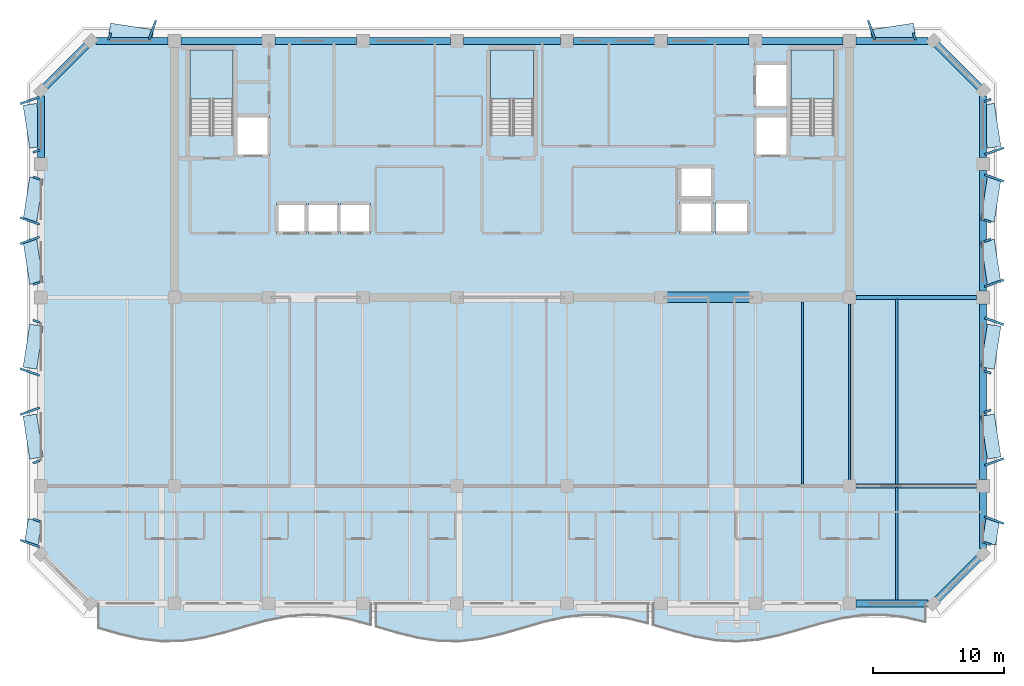
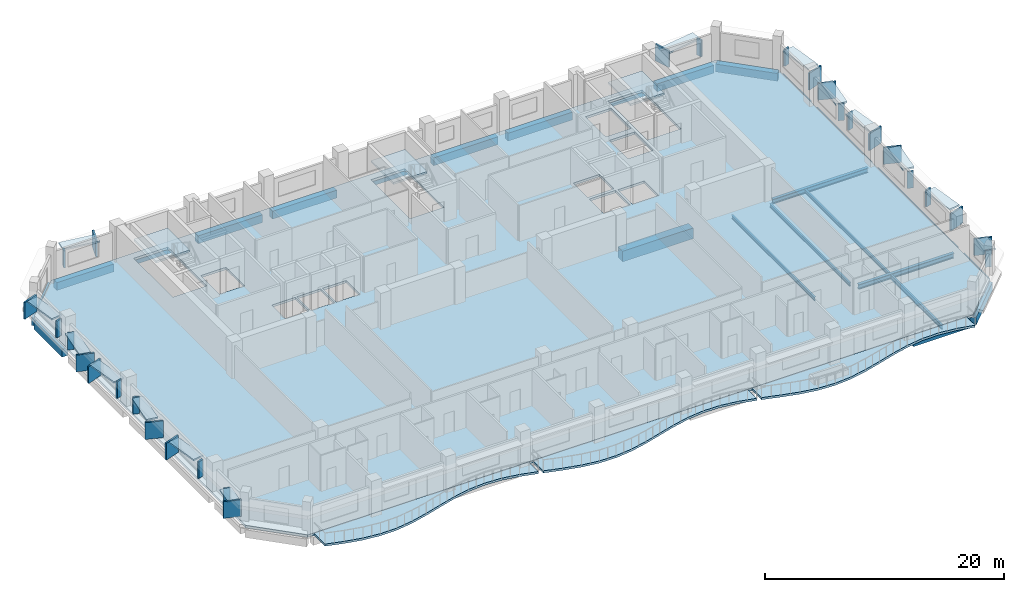
# One storey, part 2 of 11: 42 plates, 25 beams, 7 slabs, 3 elements without a shape of their own.
"""IFC4 building model written with IfcOpenShell, lengths in metres."""

import ifcopenshell
import ifcopenshell.guid

model = None  # the IFC model being written
_history = None  # IfcOwnerHistory: only IFC2X3 demands one
_inside = {}  # id of a spatial element -> (the spatial element, [elements in it])
_under = {}  # id of a project, library or spatial element -> (it, [spatial elements below it])
_declared = {}  # id of a project -> (the project, [libraries it declares])
_typed = {}  # id of a type object -> (the type object, [elements of that type])
_made_of = {}  # id of a material, layer set ... -> (it, [elements and type objects made of it])


def new_model(schema):
    """Start an empty IFC model of exactly this schema.

    Asked for "IFC4X3", IfcOpenShell would pick the latest addendum, in which some entities
    have other attributes; the version numbers below select the first issue.
    IFC2X3 requires an IfcOwnerHistory on every rooted entity: one is made here for all.
    """
    global model, _history
    if schema == "IFC4X3":
        model = ifcopenshell.file(schema_version=(4, 3, 0, 0))
    else:
        model = ifcopenshell.file(schema=schema)
    _inside.clear()
    _under.clear()
    _declared.clear()
    _typed.clear()
    _made_of.clear()
    _history = None
    if model.schema == "IFC2X3":
        org = make("IfcOrganization", Name="unknown")
        user = make(
            "IfcPersonAndOrganization",
            ThePerson=make("IfcPerson", FamilyName="unknown"),
            TheOrganization=org,
        )
        app = make(
            "IfcApplication",
            ApplicationDeveloper=org,
            Version="unknown",
            ApplicationFullName="unknown",
            ApplicationIdentifier="unknown",
        )
        _history = make(
            "IfcOwnerHistory",
            OwningUser=user,
            OwningApplication=app,
            ChangeAction="ADDED",
            CreationDate=0,
        )
    return model


def make(cls, **values):
    """One entity of the class cls with the attributes given. An attribute that is None is left unset."""
    return model.create_entity(
        cls, **{name: value for name, value in values.items() if value is not None}
    )


def rooted(cls, **values):
    """An entity with a GlobalId (a new one), such as an element, a storey or a relation."""
    return make(cls, GlobalId=ifcopenshell.guid.new(), OwnerHistory=_history, **values)


def si_unit(unit_type, name, prefix=None):
    """IfcSIUnit, for example si_unit("LENGTHUNIT", "METRE", prefix="MILLI")."""
    return make("IfcSIUnit", UnitType=unit_type, Prefix=prefix, Name=name)


def assignment(units):
    """IfcUnitAssignment: the units of a project."""
    return None if units is None else make("IfcUnitAssignment", Units=units)


def point(xyz):
    """IfcCartesianPoint."""
    return None if xyz is None else make("IfcCartesianPoint", Coordinates=xyz)


def direction(xyz):
    """IfcDirection."""
    return None if xyz is None else make("IfcDirection", DirectionRatios=xyz)


def frame(location, z_axis=None, x_axis=None):
    """IfcAxis2Placement3D, a coordinate frame: its origin and axes. An axis left out is left unset."""
    return make(
        "IfcAxis2Placement3D",
        Location=point(location),
        Axis=direction(z_axis),
        RefDirection=direction(x_axis),
    )


def frame_2d(location, x_axis=None):
    """IfcAxis2Placement2D, a coordinate frame in the plane: its origin and x axis."""
    return make(
        "IfcAxis2Placement2D", Location=point(location), RefDirection=direction(x_axis)
    )


def origin():
    """The frame at (0, 0, 0) with its axes left unset."""
    return frame((0.0, 0.0, 0.0))


def origin_2d():
    """The frame at (0, 0) in the plane with its x axis left unset."""
    return frame_2d((0.0, 0.0))


def place(relative_to, where):
    """IfcLocalPlacement: puts the frame where relative to a parent placement (None: the world)."""
    return make(
        "IfcLocalPlacement", PlacementRelTo=relative_to, RelativePlacement=where
    )


def context(
    kind, dimensions, precision=None, world=None, true_north=None, identifier=None
):
    """IfcGeometricRepresentationContext, for example the 3D "Model" context."""
    return make(
        "IfcGeometricRepresentationContext",
        ContextIdentifier=identifier,
        ContextType=kind,
        CoordinateSpaceDimension=dimensions,
        Precision=precision,
        WorldCoordinateSystem=world,
        TrueNorth=true_north,
    )


def subcontext(parent, identifier, kind, view, scale=None):
    """IfcGeometricRepresentationSubContext, for example "Body" below "Model"."""
    return make(
        "IfcGeometricRepresentationSubContext",
        ContextIdentifier=identifier,
        ContextType=kind,
        ParentContext=parent,
        TargetScale=scale,
        TargetView=view,
    )


def project(units=None, contexts=None):
    """IfcProject with its units and contexts."""
    return rooted(
        "IfcProject",
        Name="project",
        RepresentationContexts=contexts,
        UnitsInContext=assignment(units),
    )


def spatial(cls, under=None, at=None, **own):
    """A site, building, storey or space (cls), placed at a placement, below another one or the project."""
    s = rooted(cls, ObjectPlacement=at, **own)
    if under is not None:
        _under.setdefault(under.id(), (under, []))[1].append(s)
    return s


def polyline(points):
    """IfcPolyline through the points."""
    return make("IfcPolyline", Points=[point(p) for p in points])


def profile(cls, at=None, kind="AREA", **sizes):
    """A parametric profile (cls). Its sizes go by their IFC names, for example OverallWidth=200.0."""
    return make(cls, ProfileType=kind, Position=at, **sizes)


def rectangle(**sizes):
    """IfcRectangleProfileDef."""
    return profile("IfcRectangleProfileDef", **sizes)


def i_section(**sizes):
    """IfcIShapeProfileDef."""
    return profile("IfcIShapeProfileDef", **sizes)


def outline(outer, holes=None, kind="AREA"):
    """IfcArbitraryClosedProfileDef: a profile drawn as a closed curve; with holes, ...WithVoids."""
    if holes is None:
        return make("IfcArbitraryClosedProfileDef", ProfileType=kind, OuterCurve=outer)
    return make(
        "IfcArbitraryProfileDefWithVoids",
        ProfileType=kind,
        OuterCurve=outer,
        InnerCurves=holes,
    )


def extrude(swept, where, along, depth):
    """IfcExtrudedAreaSolid: the profile swept, set in the frame where, extruded along a direction by depth."""
    return make(
        "IfcExtrudedAreaSolid",
        SweptArea=swept,
        Position=where,
        ExtrudedDirection=direction(along),
        Depth=depth,
    )


def shape(context_of_items, identifier, shape_type, items):
    """IfcShapeRepresentation: the items that make up one representation, for example the "Body"."""
    return make(
        "IfcShapeRepresentation",
        ContextOfItems=context_of_items,
        RepresentationIdentifier=identifier,
        RepresentationType=shape_type,
        Items=items,
    )


def material(Name=None, Category=None):
    """IfcMaterial."""
    return make("IfcMaterial", Name=Name, Category=Category)


def layer(
    of_material, thickness, ventilated=None, Name=None, Category=None, Priority=None
):
    """IfcMaterialLayer: one layer of a wall or slab, of a material (None: an air gap)."""
    return make(
        "IfcMaterialLayer",
        Material=of_material,
        LayerThickness=thickness,
        IsVentilated=ventilated,
        Name=Name,
        Category=Category,
        Priority=Priority,
    )


def layer_set(layers, Name=None):
    """IfcMaterialLayerSet."""
    return make("IfcMaterialLayerSet", MaterialLayers=layers, LayerSetName=Name)


def material_profile(
    of_material, cross_section, Name=None, Category=None, Priority=None
):
    """IfcMaterialProfile: a cross section and its material."""
    return make(
        "IfcMaterialProfile",
        Name=Name,
        Material=of_material,
        Profile=cross_section,
        Priority=Priority,
        Category=Category,
    )


def profile_set(profiles, Name=None, composite=None):
    """IfcMaterialProfileSet."""
    return make(
        "IfcMaterialProfileSet",
        Name=Name,
        MaterialProfiles=profiles,
        CompositeProfile=composite,
    )


def made_of(thing, what):
    """Note that an element or type object is made of a material, layer set ...; save() writes the relation."""
    if what is not None:
        _made_of.setdefault(what.id(), (what, []))[1].append(thing)
    return thing


def type_object(cls, material=None, **own):
    """A type object (cls), such as IfcWallType, which elements share."""
    return made_of(rooted(cls, **own), material)


def element(
    cls,
    number,
    at=None,
    inside=None,
    cuts=None,
    type_object=None,
    material=None,
    context=None,
    identifier="Body",
    shape_type=None,
    held_by="IfcProductDefinitionShape",
    body=None,
    shapes=None,
    **own,
):
    """One element of the class cls, such as IfcWall. Its Tag is "e" and its number.

    at: its placement. inside: the storey or other place that contains it. cuts: it is an
    opening in that element (IfcRelVoidsElement). A single representation is given by context,
    identifier, shape_type and body (its items); several are given by shapes. held_by: the class
    of the entity that holds the representations. save() writes the other relations.
    """
    e = rooted(cls, Tag="e%d" % number, ObjectPlacement=at, **own)
    if body is not None:
        shapes = [shape(context, identifier, shape_type, body)]
    if shapes is not None:
        e.Representation = make(held_by, Representations=shapes)
    if inside is not None:
        _inside.setdefault(inside.id(), (inside, []))[1].append(e)
    if cuts is not None:
        rooted(
            "IfcRelVoidsElement", RelatingBuildingElement=cuts, RelatedOpeningElement=e
        )
    if type_object is not None:
        _typed.setdefault(type_object.id(), (type_object, []))[1].append(e)
    return made_of(e, material)


def aggregate(whole, parts):
    """IfcRelAggregates: a whole, such as a stair, and the parts it consists of."""
    return rooted("IfcRelAggregates", RelatingObject=whole, RelatedObjects=parts)


def save(model, path):
    """Write the relations noted so far, then the file.

    IfcRelAggregates (storeys below a building ...), IfcRelContainedInSpatialStructure (elements
    in a storey), IfcRelDefinesByType, IfcRelAssociatesMaterial and IfcRelDeclares: one each for
    every whole, place, type object, material and project.
    """
    for whole, parts in _under.values():
        aggregate(whole, parts)
    for where, things in _inside.values():
        rooted(
            "IfcRelContainedInSpatialStructure",
            RelatedElements=things,
            RelatingStructure=where,
        )
    for kind, things in _typed.values():
        rooted("IfcRelDefinesByType", RelatedObjects=things, RelatingType=kind)
    for what, things in _made_of.values():
        rooted("IfcRelAssociatesMaterial", RelatedObjects=things, RelatingMaterial=what)
    for by, libraries in _declared.values():
        rooted("IfcRelDeclares", RelatingContext=by, RelatedDefinitions=libraries)
    model.write(path)


model = new_model("IFC4")

# Units and contexts
model_context = context("Model", 3, precision=1e-05, world=origin(), true_north=direction((0.0, 1.0)))
body_context = subcontext(model_context, "Body", "Model", "MODEL_VIEW")
ifc_project = project(units=[si_unit("LENGTHUNIT", "METRE"), si_unit("AREAUNIT", "SQUARE_METRE"), si_unit("VOLUMEUNIT", "CUBIC_METRE"), si_unit("PLANEANGLEUNIT", "RADIAN"), si_unit("MASSUNIT", "GRAM", prefix="KILO")], contexts=[model_context])

# Site, building, storey
site_placement = place(None, origin())
site = spatial("IfcSite", under=ifc_project, at=site_placement, CompositionType="ELEMENT")
building_placement = place(site_placement, origin())
building = spatial("IfcBuilding", under=site, at=building_placement, Name="Kaelvorn Grand Hotel", CompositionType="ELEMENT")
storey_placement = place(building_placement, frame((0.0, 0.0, 233.10009765625)))
storey = spatial("IfcBuildingStorey", under=building, at=storey_placement, Name="L57", CompositionType="ELEMENT", Elevation=233.10009765625)

# Beams
ifc_material_1 = material(Name="Steel S355", Category="steel")
ifc_material_profile_1 = material_profile(ifc_material_1, i_section(OverallWidth=0.300048828125, OverallDepth=0.5, WebThickness=0.014404296875, FlangeThickness=0.028076171875, FilletRadius=0.027099609375, at=origin_2d()), Name="HEB 500")
ifc_profile_set_1 = profile_set([ifc_material_profile_1], Name="Steel S355")
beam_type_1 = type_object("IfcBeamType", Name="BM-G-HEB500-S355", PredefinedType="BEAM", material=ifc_profile_set_1)
for number, where, z_axis, x_axis, name in (
    (1, (68.284912109375, 15.0, -0.489990234375), (1.0, 0.0, 0.0), (0.0, 1.0, 0.0), "L57 Primary Spine Steel Girder G-15 05"),
    (2, (68.284912109375, 29.39990234375, -0.489990234375), (1.0, 0.0, 0.0), (0.0, 1.0, 0.0), "L57 East Core Wing Steel Girder G-29E 01"),
):
    element("IfcBeam", number, at=place(storey_placement, frame(where, z_axis=z_axis, x_axis=x_axis)), inside=storey, type_object=beam_type_1, Name=name, PredefinedType="BEAM", context=body_context, shape_type="SweptSolid", body=[
        extrude(i_section(OverallWidth=0.300048828125, OverallDepth=0.5, WebThickness=0.014404296875, FlangeThickness=0.028076171875, FilletRadius=0.027099609375, at=origin_2d()), origin(), (0.0, 0.0, 1.0), 9.22998046875),
    ])
ifc_material_profile_2 = material_profile(ifc_material_1, i_section(OverallWidth=0.169921875, OverallDepth=0.360107421875, WebThickness=0.008056640625, FlangeThickness=0.0126953125, FilletRadius=0.01806640625, at=origin_2d()), Name="IPE 360")
ifc_profile_set_2 = profile_set([ifc_material_profile_2], Name="Steel S355")
beam_type_2 = type_object("IfcBeamType", Name="BM-J-IPE360-S355", PredefinedType="JOIST", material=ifc_profile_set_2)
beam_1_placement = place(storey_placement, frame((64.199951171875, 15.135009765625, -0.420166015625), z_axis=(0.0, 1.0, 0.0), x_axis=(-1.0, 0.0, 0.0)))
element("IfcBeam", 3, at=beam_1_placement, inside=storey, type_object=beam_type_2, Name="L57 Composite Floor Joist JM-18", PredefinedType="JOIST", context=body_context, shape_type="SweptSolid", body=[
    extrude(i_section(OverallWidth=0.169921875, OverallDepth=0.360107421875, WebThickness=0.008056640625, FlangeThickness=0.0126953125, FilletRadius=0.01806640625, at=origin_2d()), origin(), (0.0, 0.0, 1.0), 13.925048828125),
])
beam_2_placement = place(storey_placement, frame((67.800048828125, 15.485107421875, -0.420166015625), z_axis=(0.0, 1.0, 0.0), x_axis=(-1.0, 0.0, 0.0)))
element("IfcBeam", 4, at=beam_2_placement, inside=storey, type_object=beam_type_2, Name="L57 Composite Floor Joist JM-19", PredefinedType="JOIST", context=body_context, shape_type="SweptSolid", body=[
    extrude(i_section(OverallWidth=0.169921875, OverallDepth=0.360107421875, WebThickness=0.008056640625, FlangeThickness=0.0126953125, FilletRadius=0.01806640625, at=origin_2d()), origin(), (0.0, 0.0, 1.0), 13.429931640625),
])
beam_3_placement = place(storey_placement, frame((71.39990234375, 15.135009765625, -0.420166015625), z_axis=(0.0, 1.0, 0.0), x_axis=(-1.0, 0.0, 0.0)))
element("IfcBeam", 5, at=beam_3_placement, inside=storey, type_object=beam_type_2, Name="L57 Composite Floor Joist JM-20", PredefinedType="JOIST", context=body_context, shape_type="SweptSolid", body=[
    extrude(i_section(OverallWidth=0.169921875, OverallDepth=0.360107421875, WebThickness=0.008056640625, FlangeThickness=0.0126953125, FilletRadius=0.01806640625, at=origin_2d()), origin(), (0.0, 0.0, 1.0), 14.1298828125),
])
ifc_material_profile_3 = material_profile(ifc_material_1, i_section(OverallWidth=0.18994140625, OverallDepth=0.449951171875, WebThickness=0.009521484375, FlangeThickness=0.0146484375, FilletRadius=0.02099609375, at=origin_2d()), Name="IPE 450")
ifc_profile_set_3 = profile_set([ifc_material_profile_3], Name="Steel S355")
beam_type_3 = type_object("IfcBeamType", Name="BM-J-IPE450-S355", PredefinedType="JOIST", material=ifc_profile_set_3)
beam_4_placement = place(storey_placement, frame((71.39990234375, 6.260009765625, -0.465087890625), z_axis=(0.0, 1.0, 0.0), x_axis=(-1.0, 0.0, 0.0)))
element("IfcBeam", 6, at=beam_4_placement, inside=storey, type_object=beam_type_3, Name="L57 Composite Floor Joist JS-20", PredefinedType="JOIST", context=body_context, shape_type="SweptSolid", body=[
    extrude(i_section(OverallWidth=0.18994140625, OverallDepth=0.449951171875, WebThickness=0.009521484375, FlangeThickness=0.0146484375, FilletRadius=0.02099609375, at=origin_2d()), origin(), (0.0, 0.0, 1.0), 8.60498046875),
])
ifc_material_2 = material(Name="Concrete C60/75", Category="concrete")
ifc_material_profile_4 = material_profile(ifc_material_2, rectangle(XDim=0.800048828125, YDim=1.10009765625, at=origin_2d()), Name="RC LINTEL 800x1100")
ifc_profile_set_4 = profile_set([ifc_material_profile_4], Name="Concrete C60/75")
beam_type_4 = type_object("IfcBeamType", Name="BM-LIN-800x1100-C60", PredefinedType="LINTEL", material=ifc_profile_set_4)
beam_5_placement = place(storey_placement, frame((53.580078125, 29.39990234375, -0.7900390625), z_axis=(1.0, 0.0, 0.0), x_axis=(0.0, 1.0, 0.0)))
element("IfcBeam", 7, at=beam_5_placement, inside=storey, type_object=beam_type_4, Name="L57 Rear-Core Coupling Lintel Beam CB1-03", PredefinedType="LINTEL", context=body_context, shape_type="SweptSolid", body=[
    extrude(rectangle(XDim=0.800048828125, YDim=1.10009765625, at=origin_2d()), origin(), (0.0, 0.0, 1.0), 6.83984375),
])
ifc_material_3 = material(Name="Concrete C50/60", Category="concrete")
ifc_material_profile_5 = material_profile(ifc_material_3, rectangle(XDim=0.550048828125, YDim=0.800048828125, at=origin_2d()), Name="RC SPANDREL 550x800")
ifc_profile_set_5 = profile_set([ifc_material_profile_5], Name="Concrete C50/60")
beam_type_5 = type_object("IfcBeamType", Name="BM-SP-550x800-C50", PredefinedType="SPANDREL", material=ifc_profile_set_5)
for number, where, z_axis, x_axis, name in (
    (8, (68.284912109375, 6.0, -0.64013671875), (1.0, 0.0, 0.0), (0.0, 1.0, 0.0), "L57 South Perimeter Spandrel 09"),
    (9, (10.205078125, 49.0, -0.64013671875), (1.0, 0.0, 0.0), (0.0, 1.0, 0.0), "L57 North Perimeter Spandrel 01"),
):
    element("IfcBeam", number, at=place(storey_placement, frame(where, z_axis=z_axis, x_axis=x_axis)), inside=storey, type_object=beam_type_5, Name=name, PredefinedType="SPANDREL", context=body_context, shape_type="SweptSolid", body=[
        extrude(rectangle(XDim=0.550048828125, YDim=0.800048828125, at=origin_2d()), origin(), (0.0, 0.0, 1.0), 5.510009765625),
    ])
for number, where, z_axis, x_axis, name in (
    (10, (16.68505859375, 49.0, -0.64013671875), (1.0, 0.0, 0.0), (0.0, 1.0, 0.0), "L57 North Perimeter Spandrel 02"),
    (11, (23.885009765625, 49.0, -0.64013671875), (1.0, 0.0, 0.0), (0.0, 1.0, 0.0), "L57 North Perimeter Spandrel 03"),
    (12, (31.0849609375, 49.0, -0.64013671875), (1.0, 0.0, 0.0), (0.0, 1.0, 0.0), "L57 North Perimeter Spandrel 04"),
):
    element("IfcBeam", number, at=place(storey_placement, frame(where, z_axis=z_axis, x_axis=x_axis)), inside=storey, type_object=beam_type_5, Name=name, PredefinedType="SPANDREL", context=body_context, shape_type="SweptSolid", body=[
        extrude(rectangle(XDim=0.550048828125, YDim=0.800048828125, at=origin_2d()), origin(), (0.0, 0.0, 1.0), 6.22998046875),
    ])
beam_6_placement = place(storey_placement, frame((38.284912109375, 49.0, -0.64013671875), z_axis=(1.0, 0.0, 0.0), x_axis=(0.0, 1.0, 0.0)))
element("IfcBeam", 13, at=beam_6_placement, inside=storey, type_object=beam_type_5, Name="L57 North Perimeter Spandrel 05", PredefinedType="SPANDREL", context=body_context, shape_type="SweptSolid", body=[
    extrude(rectangle(XDim=0.550048828125, YDim=0.800048828125, at=origin_2d()), origin(), (0.0, 0.0, 1.0), 7.43017578125),
])
for number, where, z_axis, x_axis, name in (
    (14, (46.68505859375, 49.0, -0.64013671875), (1.0, 0.0, 0.0), (0.0, 1.0, 0.0), "L57 North Perimeter Spandrel 06"),
    (15, (53.885009765625, 49.0, -0.64013671875), (1.0, 0.0, 0.0), (0.0, 1.0, 0.0), "L57 North Perimeter Spandrel 07"),
    (16, (61.0849609375, 49.0, -0.64013671875), (1.0, 0.0, 0.0), (0.0, 1.0, 0.0), "L57 North Perimeter Spandrel 08"),
):
    element("IfcBeam", number, at=place(storey_placement, frame(where, z_axis=z_axis, x_axis=x_axis)), inside=storey, type_object=beam_type_5, Name=name, PredefinedType="SPANDREL", context=body_context, shape_type="SweptSolid", body=[
        extrude(rectangle(XDim=0.550048828125, YDim=0.800048828125, at=origin_2d()), origin(), (0.0, 0.0, 1.0), 6.22998046875),
    ])
beam_7_placement = place(storey_placement, frame((68.284912109375, 49.0, -0.64013671875), z_axis=(1.0, 0.0, 0.0), x_axis=(0.0, 1.0, 0.0)))
element("IfcBeam", 17, at=beam_7_placement, inside=storey, type_object=beam_type_5, Name="L57 North Perimeter Spandrel 09", PredefinedType="SPANDREL", context=body_context, shape_type="SweptSolid", body=[
    extrude(rectangle(XDim=0.550048828125, YDim=0.800048828125, at=origin_2d()), origin(), (0.0, 0.0, 1.0), 5.510009765625),
])
beam_8_placement = place(storey_placement, frame((6.0, 40.0849609375, -0.64013671875), z_axis=(0.0, 1.0, 0.0), x_axis=(-1.0, 0.0, 0.0)))
element("IfcBeam", 18, at=beam_8_placement, inside=storey, type_object=beam_type_5, Name="L57 West Perimeter Spandrel 04", PredefinedType="SPANDREL", context=body_context, shape_type="SweptSolid", body=[
    extrude(rectangle(XDim=0.550048828125, YDim=0.800048828125, at=origin_2d()), origin(), (0.0, 0.0, 1.0), 4.7099609375),
])
beam_9_placement = place(storey_placement, frame((78.0, 10.205078125, -0.64013671875), z_axis=(0.0, 1.0, 0.0), x_axis=(-1.0, 0.0, 0.0)))
element("IfcBeam", 19, at=beam_9_placement, inside=storey, type_object=beam_type_5, Name="L57 East Perimeter Spandrel 01", PredefinedType="SPANDREL", context=body_context, shape_type="SweptSolid", body=[
    extrude(rectangle(XDim=0.550048828125, YDim=0.800048828125, at=origin_2d()), origin(), (0.0, 0.0, 1.0), 4.309814453125),
])
beam_10_placement = place(storey_placement, frame((78.0, 15.485107421875, -0.64013671875), z_axis=(0.0, 1.0, 0.0), x_axis=(-1.0, 0.0, 0.0)))
element("IfcBeam", 20, at=beam_10_placement, inside=storey, type_object=beam_type_5, Name="L57 East Perimeter Spandrel 02", PredefinedType="SPANDREL", context=body_context, shape_type="SweptSolid", body=[
    extrude(rectangle(XDim=0.550048828125, YDim=0.800048828125, at=origin_2d()), origin(), (0.0, 0.0, 1.0), 13.429931640625),
])
beam_11_placement = place(storey_placement, frame((78.0, 29.885009765625, -0.64013671875), z_axis=(0.0, 1.0, 0.0), x_axis=(-1.0, 0.0, 0.0)))
element("IfcBeam", 21, at=beam_11_placement, inside=storey, type_object=beam_type_5, Name="L57 East Perimeter Spandrel 03", PredefinedType="SPANDREL", context=body_context, shape_type="SweptSolid", body=[
    extrude(rectangle(XDim=0.550048828125, YDim=0.800048828125, at=origin_2d()), origin(), (0.0, 0.0, 1.0), 9.22998046875),
])
beam_12_placement = place(storey_placement, frame((78.0, 40.0849609375, -0.64013671875), z_axis=(0.0, 1.0, 0.0), x_axis=(-1.0, 0.0, 0.0)))
element("IfcBeam", 22, at=beam_12_placement, inside=storey, type_object=beam_type_5, Name="L57 East Perimeter Spandrel 04", PredefinedType="SPANDREL", context=body_context, shape_type="SweptSolid", body=[
    extrude(rectangle(XDim=0.550048828125, YDim=0.800048828125, at=origin_2d()), origin(), (0.0, 0.0, 1.0), 4.7099609375),
])
for number, where, z_axis, x_axis, name in (
    (23, (74.199951171875, 6.0, -0.64013671875), (0.707106781187, 0.707106781187, 0.0), (-0.707106781187, 0.707106781187, 0.0), "L57 Chamfer Spandrel Beam 1"),
    (24, (78.0, 45.199951171875, -0.64013671875), (-0.707106781187, 0.707106781187, 0.0), (-0.707106781187, -0.707106781187, 0.0), "L57 Chamfer Spandrel Beam 2"),
    (25, (9.800048828125, 49.0, -0.64013671875), (-0.707106781187, -0.707106781187, 0.0), (0.707106781187, -0.707106781187, 0.0), "L57 Chamfer Spandrel Beam 3"),
):
    element("IfcBeam", number, at=place(storey_placement, frame(where, z_axis=z_axis, x_axis=x_axis)), inside=storey, type_object=beam_type_5, Name=name, PredefinedType="SPANDREL", context=body_context, shape_type="SweptSolid", body=[
        extrude(rectangle(XDim=0.550048828125, YDim=0.800048828125, at=origin_2d()), origin(), (0.0, 0.0, 1.0), 5.3740234375),
    ])

# Plates
ifc_material_4 = material(Name="Precast concrete C45/55", Category="concrete")
ifc_layer_1 = layer(ifc_material_4, 0.159912109375)
ifc_layer_set_1 = layer_set([ifc_layer_1], Name="Precast concrete C45/55")
plate_type_1 = type_object("IfcPlateType", Name="PL-FRAME-DEEP-1550", PredefinedType="USERDEFINED", material=ifc_layer_set_1)
for number, where, z_axis, x_axis, name in (
    (26, (78.844970703125, 12.375, 0.68994140625), (0.0, 0.0, 1.0), (0.333806859234, 0.942641491092, 0.0), "L57 Tilted Precast Window Frame Fin R-E01"),
    (27, (78.844970703125, 16.824951171875, 0.81494140625), (0.0, 0.0, 1.0), (-0.333806859234, 0.942641491092, 0.0), "L57 Tilted Precast Window Frame Fin L-E02"),
    (28, (78.844970703125, 27.574951171875, 0.81494140625), (0.0, 0.0, 1.0), (0.333806859234, 0.942641491092, 0.0), "L57 Tilted Precast Window Frame Fin R-E03"),
    (29, (78.844970703125, 30.47509765625, 0.73974609375), (0.0, 0.0, 1.0), (-0.333806859234, 0.942641491092, 0.0), "L57 Tilted Precast Window Frame Fin L-E04"),
    (30, (78.844970703125, 38.52490234375, 0.73974609375), (0.0, 0.0, 1.0), (0.333806859234, 0.942641491092, 0.0), "L57 Tilted Precast Window Frame Fin R-E05"),
    (31, (78.844970703125, 40.574951171875, 0.81494140625), (0.0, 0.0, 1.0), (-0.333806859234, 0.942641491092, 0.0), "L57 Tilted Precast Window Frame Fin L-E06"),
    (32, (5.155029296875, 10.594970703125, 0.68994140625), (0.0, 0.0, 1.0), (0.333806859234, 0.942641491092, 0.0), "L57 Tilted Precast Window Frame Fin L-W01"),
    (33, (5.155029296875, 20.705078125, 0.81494140625), (0.0, 0.0, 1.0), (-0.333806859234, 0.942641491092, 0.0), "L57 Tilted Precast Window Frame Fin R-W02"),
    (34, (5.155029296875, 23.695068359375, 0.81494140625), (0.0, 0.0, 1.0), (0.333806859234, 0.942641491092, 0.0), "L57 Tilted Precast Window Frame Fin L-W03"),
    (35, (5.155029296875, 33.7548828125, 0.73974609375), (0.0, 0.0, 1.0), (-0.333806859234, 0.942641491092, 0.0), "L57 Tilted Precast Window Frame Fin R-W04"),
    (36, (5.155029296875, 35.2451171875, 0.73974609375), (0.0, 0.0, 1.0), (0.333806859234, 0.942641491092, 0.0), "L57 Tilted Precast Window Frame Fin L-W05"),
    (37, (5.155029296875, 44.455078125, 0.81494140625), (0.0, 0.0, 1.0), (-0.333806859234, 0.942641491092, 0.0), "L57 Tilted Precast Window Frame Fin R-W06"),
    (38, (14.52490234375, 49.844970703125, 0.73974609375), (0.0, 0.0, 1.0), (0.942641491092, -0.333806859234, 0.0), "L57 Tilted Precast Window Frame Fin R-N01"),
    (39, (69.47509765625, 49.844970703125, 0.73974609375), (0.0, 0.0, 1.0), (0.942641491092, 0.333806859234, 0.0), "L57 Tilted Precast Window Frame Fin L-N02"),
):
    element("IfcPlate", number, at=place(storey_placement, frame(where, z_axis=z_axis, x_axis=x_axis)), inside=storey, type_object=plate_type_1, Name=name, ObjectType="FLANGE_PLATE", PredefinedType="USERDEFINED", context=body_context, shape_type="SweptSolid", body=[
        extrude(rectangle(XDim=0.159912109375, YDim=1.550048828125, at=origin_2d()), origin(), (0.0, 0.0, 1.0), 1.719970703125),
    ])
ifc_layer_2 = layer(ifc_material_4, 0.159912109375)
ifc_layer_set_2 = layer_set([ifc_layer_2], Name="Precast concrete C45/55")
plate_type_2 = type_object("IfcPlateType", Name="PL-FRAME-HEAD-1050", PredefinedType="USERDEFINED", material=ifc_layer_set_2)
plate_1_placement = place(storey_placement, frame((78.594970703125, 11.485107421875, 2.25), z_axis=(0.0, 0.0, 1.0), x_axis=(0.152554625759, 0.988295040036, 0.0)))
element("IfcPlate", 40, at=plate_1_placement, inside=storey, type_object=plate_type_2, Name="L57 Precast Window Frame Head Hood H-E01", ObjectType="FLANGE_PLATE", PredefinedType="USERDEFINED", context=body_context, shape_type="SweptSolid", body=[
    extrude(rectangle(XDim=1.860107421875, YDim=1.050048828125, at=origin_2d()), origin(), (0.0, 0.0, 1.0), 0.159912109375),
])
for number, where, z_axis, x_axis, name in (
    (41, (78.594970703125, 18.764892578125, 2.5), (0.0, 0.0, 1.0), (-0.152554625759, 0.988295040036, 0.0), "L57 Precast Window Frame Head Hood H-E02"),
    (42, (78.594970703125, 25.635009765625, 2.5), (0.0, 0.0, 1.0), (0.152554625759, 0.988295040036, 0.0), "L57 Precast Window Frame Head Hood H-E03"),
    (43, (78.594970703125, 32.114990234375, 2.35009765625), (0.0, 0.0, 1.0), (-0.152554625759, 0.988295040036, 0.0), "L57 Precast Window Frame Head Hood H-E04"),
    (44, (78.594970703125, 36.885009765625, 2.35009765625), (0.0, 0.0, 1.0), (0.152554625759, 0.988295040036, 0.0), "L57 Precast Window Frame Head Hood H-E05"),
    (45, (78.594970703125, 42.514892578125, 2.5), (0.0, 0.0, 1.0), (-0.152554625759, 0.988295040036, 0.0), "L57 Precast Window Frame Head Hood H-E06"),
):
    element("IfcPlate", number, at=place(storey_placement, frame(where, z_axis=z_axis, x_axis=x_axis)), inside=storey, type_object=plate_type_2, Name=name, ObjectType="FLANGE_PLATE", PredefinedType="USERDEFINED", context=body_context, shape_type="SweptSolid", body=[
        extrude(rectangle(XDim=3.320068359375, YDim=1.050048828125, at=origin_2d()), origin(), (0.0, 0.0, 1.0), 0.159912109375),
    ])
plate_2_placement = place(storey_placement, frame((5.405029296875, 11.485107421875, 2.25), z_axis=(0.0, 0.0, 1.0), x_axis=(0.152554625759, 0.988295040036, 0.0)))
element("IfcPlate", 46, at=plate_2_placement, inside=storey, type_object=plate_type_2, Name="L57 Precast Window Frame Head Hood H-W01", ObjectType="FLANGE_PLATE", PredefinedType="USERDEFINED", context=body_context, shape_type="SweptSolid", body=[
    extrude(rectangle(XDim=1.860107421875, YDim=1.050048828125, at=origin_2d()), origin(), (0.0, 0.0, 1.0), 0.159912109375),
])
for number, where, z_axis, x_axis, name in (
    (47, (5.405029296875, 18.764892578125, 2.5), (0.0, 0.0, 1.0), (-0.152554625759, 0.988295040036, 0.0), "L57 Precast Window Frame Head Hood H-W02"),
    (48, (5.405029296875, 25.635009765625, 2.5), (0.0, 0.0, 1.0), (0.152554625759, 0.988295040036, 0.0), "L57 Precast Window Frame Head Hood H-W03"),
    (49, (5.405029296875, 32.114990234375, 2.35009765625), (0.0, 0.0, 1.0), (-0.152554625759, 0.988295040036, 0.0), "L57 Precast Window Frame Head Hood H-W04"),
    (50, (5.405029296875, 36.885009765625, 2.35009765625), (0.0, 0.0, 1.0), (0.152554625759, 0.988295040036, 0.0), "L57 Precast Window Frame Head Hood H-W05"),
    (51, (5.405029296875, 42.514892578125, 2.5), (0.0, 0.0, 1.0), (-0.152554625759, 0.988295040036, 0.0), "L57 Precast Window Frame Head Hood H-W06"),
    (52, (12.885009765625, 49.594970703125, 2.35009765625), (0.0, 0.0, 1.0), (0.988295040036, -0.152554625759, 0.0), "L57 Precast Window Frame Head Hood H-N01"),
    (53, (71.114990234375, 49.594970703125, 2.35009765625), (0.0, 0.0, 1.0), (0.988295040036, 0.152554625759, 0.0), "L57 Precast Window Frame Head Hood H-N02"),
):
    element("IfcPlate", number, at=place(storey_placement, frame(where, z_axis=z_axis, x_axis=x_axis)), inside=storey, type_object=plate_type_2, Name=name, ObjectType="FLANGE_PLATE", PredefinedType="USERDEFINED", context=body_context, shape_type="SweptSolid", body=[
        extrude(rectangle(XDim=3.320068359375, YDim=1.050048828125, at=origin_2d()), origin(), (0.0, 0.0, 1.0), 0.159912109375),
    ])
ifc_layer_3 = layer(ifc_material_4, 0.159912109375)
ifc_layer_set_3 = layer_set([ifc_layer_3], Name="Precast concrete C45/55")
plate_type_3 = type_object("IfcPlateType", Name="PL-FRAME-SHAL-550", PredefinedType="USERDEFINED", material=ifc_layer_set_3)
for number, where, z_axis, x_axis, name in (
    (54, (78.344970703125, 10.594970703125, 0.68994140625), (0.0, 0.0, 1.0), (0.333806859234, 0.942641491092, 0.0), "L57 Tilted Precast Window Frame Fin L-E01"),
    (55, (78.344970703125, 20.705078125, 0.81494140625), (0.0, 0.0, 1.0), (-0.333806859234, 0.942641491092, 0.0), "L57 Tilted Precast Window Frame Fin R-E02"),
    (56, (78.344970703125, 23.695068359375, 0.81494140625), (0.0, 0.0, 1.0), (0.333806859234, 0.942641491092, 0.0), "L57 Tilted Precast Window Frame Fin L-E03"),
    (57, (78.344970703125, 33.7548828125, 0.73974609375), (0.0, 0.0, 1.0), (-0.333806859234, 0.942641491092, 0.0), "L57 Tilted Precast Window Frame Fin R-E04"),
    (58, (78.344970703125, 35.2451171875, 0.73974609375), (0.0, 0.0, 1.0), (0.333806859234, 0.942641491092, 0.0), "L57 Tilted Precast Window Frame Fin L-E05"),
    (59, (78.344970703125, 44.455078125, 0.81494140625), (0.0, 0.0, 1.0), (-0.333806859234, 0.942641491092, 0.0), "L57 Tilted Precast Window Frame Fin R-E06"),
    (60, (5.655029296875, 12.375, 0.68994140625), (0.0, 0.0, 1.0), (0.333806859234, 0.942641491092, 0.0), "L57 Tilted Precast Window Frame Fin R-W01"),
    (61, (5.655029296875, 16.824951171875, 0.81494140625), (0.0, 0.0, 1.0), (-0.333806859234, 0.942641491092, 0.0), "L57 Tilted Precast Window Frame Fin L-W02"),
    (62, (5.655029296875, 27.574951171875, 0.81494140625), (0.0, 0.0, 1.0), (0.333806859234, 0.942641491092, 0.0), "L57 Tilted Precast Window Frame Fin R-W03"),
    (63, (5.655029296875, 30.47509765625, 0.73974609375), (0.0, 0.0, 1.0), (-0.333806859234, 0.942641491092, 0.0), "L57 Tilted Precast Window Frame Fin L-W04"),
    (64, (5.655029296875, 38.52490234375, 0.73974609375), (0.0, 0.0, 1.0), (0.333806859234, 0.942641491092, 0.0), "L57 Tilted Precast Window Frame Fin R-W05"),
    (65, (5.655029296875, 40.574951171875, 0.81494140625), (0.0, 0.0, 1.0), (-0.333806859234, 0.942641491092, 0.0), "L57 Tilted Precast Window Frame Fin L-W06"),
    (66, (11.2451171875, 49.344970703125, 0.73974609375), (0.0, 0.0, 1.0), (0.942641491092, -0.333806859234, 0.0), "L57 Tilted Precast Window Frame Fin L-N01"),
    (67, (72.7548828125, 49.344970703125, 0.73974609375), (0.0, 0.0, 1.0), (0.942641491092, 0.333806859234, 0.0), "L57 Tilted Precast Window Frame Fin R-N02"),
):
    element("IfcPlate", number, at=place(storey_placement, frame(where, z_axis=z_axis, x_axis=x_axis)), inside=storey, type_object=plate_type_3, Name=name, ObjectType="FLANGE_PLATE", PredefinedType="USERDEFINED", context=body_context, shape_type="SweptSolid", body=[
        extrude(rectangle(XDim=0.159912109375, YDim=0.550048828125, at=origin_2d()), origin(), (0.0, 0.0, 1.0), 1.719970703125),
    ])

# Slabs
ifc_material_5 = material(Name="Concrete C40/50", Category="concrete")
ifc_layer_4 = layer(ifc_material_5, 0.219970703125)
ifc_layer_set_4 = layer_set([ifc_layer_4], Name="Concrete C40/50")
slab_type_1 = type_object("IfcSlabType", Name="SLB-BALC-220-C40", PredefinedType="FLOOR", material=ifc_layer_set_4)
slab_1_placement = place(storey_placement, frame((0.0, 0.0, -0.22021484375)))
element("IfcSlab", 68, at=slab_1_placement, inside=storey, type_object=slab_type_1, Name="L57 Scalloped Wave Balcony Slab 1", PredefinedType="FLOOR", context=body_context, shape_type="SweptSolid", body=[
    extrude(outline(polyline([(10.39990234375, 4.125), (12.0, 3.6650390625), (13.60009765625, 3.302734375), (15.199951171875, 3.115478515625), (16.800048828125, 3.14306640625), (18.39990234375, 3.37939453125), (20.0, 3.7744140625), (21.60009765625, 4.243896484375), (23.199951171875, 4.688232421875), (24.800048828125, 5.0126953125), (26.39990234375, 5.148193359375), (28.0, 5.066162109375), (29.60009765625, 4.783935546875), (31.199951171875, 4.361328125), (31.199951171875, 6.0), (10.39990234375, 6.0), (10.39990234375, 4.125)])), origin(), (0.0, 0.0, 1.0), 0.22021484375),
])
slab_2_placement = place(storey_placement, frame((0.0, 0.0, -0.22021484375)))
element("IfcSlab", 69, at=slab_2_placement, inside=storey, type_object=slab_type_1, Name="L57 Scalloped Wave Balcony Slab 2", PredefinedType="FLOOR", context=body_context, shape_type="SweptSolid", body=[
    extrude(outline(polyline([(31.60009765625, 4.243896484375), (33.199951171875, 3.7744140625), (34.800048828125, 3.37939453125), (36.39990234375, 3.14306640625), (38.0, 3.115478515625), (39.60009765625, 3.302734375), (41.199951171875, 3.6650390625), (42.800048828125, 4.125), (44.39990234375, 4.5849609375), (46.0, 4.947265625), (47.60009765625, 5.134521484375), (49.199951171875, 5.10693359375), (50.800048828125, 4.87060546875), (52.39990234375, 4.4755859375), (52.39990234375, 6.0), (31.60009765625, 6.0), (31.60009765625, 4.243896484375)])), origin(), (0.0, 0.0, 1.0), 0.22021484375),
])
slab_3_placement = place(storey_placement, frame((0.0, 0.0, -0.22021484375)))
element("IfcSlab", 70, at=slab_3_placement, inside=storey, type_object=slab_type_1, Name="L57 Scalloped Wave Balcony Slab 3", PredefinedType="FLOOR", context=body_context, shape_type="SweptSolid", body=[
    extrude(outline(polyline([(52.800048828125, 4.361328125), (54.39990234375, 3.888671875), (56.0, 3.466064453125), (57.60009765625, 3.183837890625), (59.199951171875, 3.101806640625), (60.800048828125, 3.2373046875), (62.39990234375, 3.561767578125), (64.0, 4.006103515625), (65.60009765625, 4.4755859375), (67.199951171875, 4.87060546875), (68.800048828125, 5.10693359375), (70.39990234375, 5.134521484375), (72.0, 4.947265625), (73.60009765625, 4.5849609375), (73.60009765625, 6.0), (52.800048828125, 6.0), (52.800048828125, 4.361328125)])), origin(), (0.0, 0.0, 1.0), 0.22021484375),
])
ifc_layer_5 = layer(ifc_material_5, 0.239990234375)
ifc_layer_set_5 = layer_set([ifc_layer_5], Name="Concrete C40/50")
slab_type_2 = type_object("IfcSlabType", Name="SLB-FLR-240-C40", PredefinedType="FLOOR", material=ifc_layer_set_5)
slab_4_placement = place(storey_placement, frame((0.0, 0.0, -0.239990234375)))
element("IfcSlab", 71, at=slab_4_placement, inside=storey, type_object=slab_type_2, Name="L57 Indoor Suspended Floor Slab", PredefinedType="FLOOR", context=body_context, shape_type="SweptSolid", body=[
    extrude(outline(polyline([(9.800048828125, 6.0), (74.199951171875, 6.0), (78.0, 9.800048828125), (78.0, 45.199951171875), (74.199951171875, 49.0), (9.800048828125, 49.0), (6.0, 45.199951171875), (6.0, 9.800048828125), (9.800048828125, 6.0)]), holes=[polyline([(17.39990234375, 41.760009765625), (17.39990234375, 48.300048828125), (20.679931640625, 48.300048828125), (20.679931640625, 41.760009765625), (17.39990234375, 41.760009765625)]), polyline([(40.360107421875, 41.760009765625), (40.360107421875, 48.300048828125), (43.639892578125, 48.300048828125), (43.639892578125, 41.760009765625), (40.360107421875, 41.760009765625)]), polyline([(63.320068359375, 41.760009765625), (63.320068359375, 48.300048828125), (66.60009765625, 48.300048828125), (66.60009765625, 41.760009765625), (63.320068359375, 41.760009765625)]), polyline([(24.0, 34.300048828125), (24.0, 36.60009765625), (26.300048828125, 36.60009765625), (26.300048828125, 34.300048828125), (24.0, 34.300048828125)]), polyline([(26.449951171875, 34.300048828125), (26.449951171875, 36.60009765625), (28.75, 36.60009765625), (28.75, 34.300048828125), (26.449951171875, 34.300048828125)]), polyline([(28.89990234375, 34.300048828125), (28.89990234375, 36.60009765625), (31.199951171875, 36.60009765625), (31.199951171875, 34.300048828125), (28.89990234375, 34.300048828125)]), polyline([(54.800048828125, 34.300048828125), (54.800048828125, 36.699951171875), (57.35009765625, 36.699951171875), (57.35009765625, 34.300048828125), (54.800048828125, 34.300048828125)]), polyline([(57.550048828125, 34.300048828125), (57.550048828125, 36.699951171875), (60.10009765625, 36.699951171875), (60.10009765625, 34.300048828125), (57.550048828125, 34.300048828125)]), polyline([(54.800048828125, 37.0), (54.800048828125, 39.39990234375), (57.35009765625, 39.39990234375), (57.35009765625, 37.0), (54.800048828125, 37.0)]), polyline([(21.0, 40.199951171875), (21.0, 43.300048828125), (23.449951171875, 43.300048828125), (23.449951171875, 40.199951171875), (21.0, 40.199951171875)]), polyline([(60.550048828125, 40.199951171875), (60.550048828125, 43.300048828125), (63.0, 43.300048828125), (63.0, 40.199951171875), (60.550048828125, 40.199951171875)]), polyline([(60.550048828125, 43.89990234375), (60.550048828125, 47.300048828125), (63.0, 47.300048828125), (63.0, 43.89990234375), (60.550048828125, 43.89990234375)])]), origin(), (0.0, 0.0, 1.0), 0.239990234375),
])

# Stair, slab
stair_type = type_object("IfcStairType", Name="STR-DOG-1560-R09", PredefinedType="HALF_TURN_STAIR", material=ifc_material_5)
stair_1_placement = place(storey_placement, origin())
stair_1 = element("IfcStair", 72, at=stair_1_placement, inside=storey, type_object=stair_type, Name="L57 West Core Exit Stair ST1", PredefinedType="HALF_TURN_STAIR")
ifc_layer_6 = layer(ifc_material_5, 0.199951171875)
ifc_layer_set_6 = layer_set([ifc_layer_6], Name="Concrete C40/50")
slab_type_3 = type_object("IfcSlabType", Name="SLB-LAND-200-C40", PredefinedType="LANDING", material=ifc_layer_set_6)
slab_5_placement = place(storey_placement, frame((0.0, 0.0, 1.77490234375)))
slab_5 = element("IfcSlab", 73, at=slab_5_placement, type_object=slab_type_3, Name="ST1 landing 1", PredefinedType="LANDING", context=body_context, shape_type="SweptSolid", body=[
    extrude(outline(polyline([(20.679931640625, 44.56005859375), (20.679931640625, 48.300048828125), (17.39990234375, 48.300048828125), (17.39990234375, 44.56005859375), (20.679931640625, 44.56005859375)])), origin(), (0.0, 0.0, 1.0), 0.199951171875),
])
aggregate(stair_1, [slab_5])

stair_2_placement = place(storey_placement, origin())
stair_2 = element("IfcStair", 74, at=stair_2_placement, inside=storey, type_object=stair_type, Name="L57 Central Core Exit Stair ST2", PredefinedType="HALF_TURN_STAIR")
slab_6_placement = place(storey_placement, frame((0.0, 0.0, 1.77490234375)))
slab_6 = element("IfcSlab", 75, at=slab_6_placement, type_object=slab_type_3, Name="ST2 landing 1", PredefinedType="LANDING", context=body_context, shape_type="SweptSolid", body=[
    extrude(outline(polyline([(43.639892578125, 44.56005859375), (43.639892578125, 48.300048828125), (40.360107421875, 48.300048828125), (40.360107421875, 44.56005859375), (43.639892578125, 44.56005859375)])), origin(), (0.0, 0.0, 1.0), 0.199951171875),
])
aggregate(stair_2, [slab_6])

stair_3_placement = place(storey_placement, origin())
stair_3 = element("IfcStair", 76, at=stair_3_placement, inside=storey, type_object=stair_type, Name="L57 East Core Exit Stair ST3", PredefinedType="HALF_TURN_STAIR")
slab_7_placement = place(storey_placement, frame((0.0, 0.0, 1.77490234375)))
slab_7 = element("IfcSlab", 77, at=slab_7_placement, type_object=slab_type_3, Name="ST3 landing 1", PredefinedType="LANDING", context=body_context, shape_type="SweptSolid", body=[
    extrude(outline(polyline([(66.60009765625, 44.56005859375), (66.60009765625, 48.300048828125), (63.320068359375, 48.300048828125), (63.320068359375, 44.56005859375), (66.60009765625, 44.56005859375)])), origin(), (0.0, 0.0, 1.0), 0.199951171875),
])
aggregate(stair_3, [slab_7])

save(model, "model.ifc")
